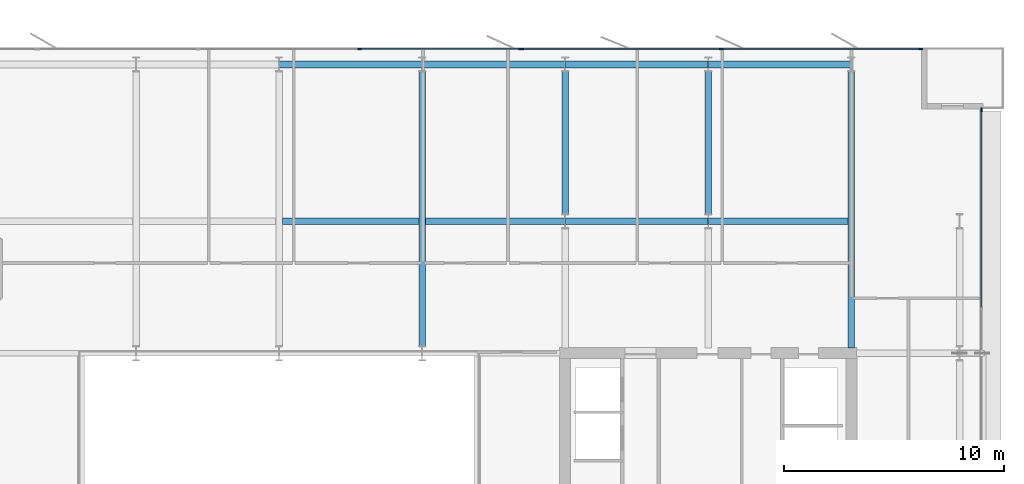
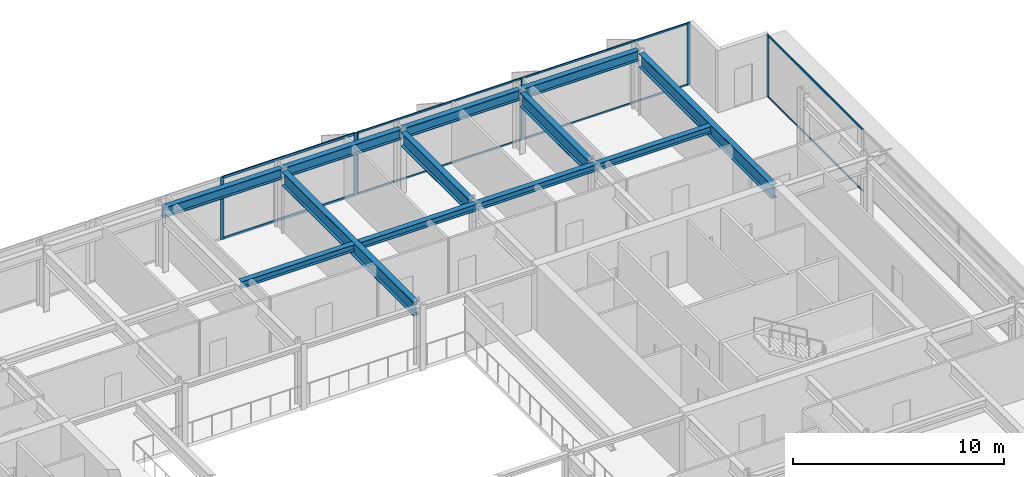
# One storey, part 9 of 19: 14 members, 12 beams, 3 elements without a shape of their own.
"""IFC4 building model written with IfcOpenShell, lengths in metres."""

import ifcopenshell
import ifcopenshell.guid

model = None  # the IFC model being written
_history = None  # IfcOwnerHistory: only IFC2X3 demands one
_inside = {}  # id of a spatial element -> (the spatial element, [elements in it])
_under = {}  # id of a project, library or spatial element -> (it, [spatial elements below it])
_declared = {}  # id of a project -> (the project, [libraries it declares])
_typed = {}  # id of a type object -> (the type object, [elements of that type])
_made_of = {}  # id of a material, layer set ... -> (it, [elements and type objects made of it])


def new_model(schema):
    """Start an empty IFC model of exactly this schema.

    Asked for "IFC4X3", IfcOpenShell would pick the latest addendum, in which some entities
    have other attributes; the version numbers below select the first issue.
    IFC2X3 requires an IfcOwnerHistory on every rooted entity: one is made here for all.
    """
    global model, _history
    if schema == "IFC4X3":
        model = ifcopenshell.file(schema_version=(4, 3, 0, 0))
    else:
        model = ifcopenshell.file(schema=schema)
    _inside.clear()
    _under.clear()
    _declared.clear()
    _typed.clear()
    _made_of.clear()
    _history = None
    if model.schema == "IFC2X3":
        org = make("IfcOrganization", Name="unknown")
        user = make(
            "IfcPersonAndOrganization",
            ThePerson=make("IfcPerson", FamilyName="unknown"),
            TheOrganization=org,
        )
        app = make(
            "IfcApplication",
            ApplicationDeveloper=org,
            Version="unknown",
            ApplicationFullName="unknown",
            ApplicationIdentifier="unknown",
        )
        _history = make(
            "IfcOwnerHistory",
            OwningUser=user,
            OwningApplication=app,
            ChangeAction="ADDED",
            CreationDate=0,
        )
    return model


def make(cls, **values):
    """One entity of the class cls with the attributes given. An attribute that is None is left unset."""
    return model.create_entity(
        cls, **{name: value for name, value in values.items() if value is not None}
    )


def rooted(cls, **values):
    """An entity with a GlobalId (a new one), such as an element, a storey or a relation."""
    return make(cls, GlobalId=ifcopenshell.guid.new(), OwnerHistory=_history, **values)


def si_unit(unit_type, name, prefix=None):
    """IfcSIUnit, for example si_unit("LENGTHUNIT", "METRE", prefix="MILLI")."""
    return make("IfcSIUnit", UnitType=unit_type, Prefix=prefix, Name=name)


def assignment(units):
    """IfcUnitAssignment: the units of a project."""
    return None if units is None else make("IfcUnitAssignment", Units=units)


def point(xyz):
    """IfcCartesianPoint."""
    return None if xyz is None else make("IfcCartesianPoint", Coordinates=xyz)


def direction(xyz):
    """IfcDirection."""
    return None if xyz is None else make("IfcDirection", DirectionRatios=xyz)


def frame(location, z_axis=None, x_axis=None):
    """IfcAxis2Placement3D, a coordinate frame: its origin and axes. An axis left out is left unset."""
    return make(
        "IfcAxis2Placement3D",
        Location=point(location),
        Axis=direction(z_axis),
        RefDirection=direction(x_axis),
    )


def frame_2d(location, x_axis=None):
    """IfcAxis2Placement2D, a coordinate frame in the plane: its origin and x axis."""
    return make(
        "IfcAxis2Placement2D", Location=point(location), RefDirection=direction(x_axis)
    )


def origin():
    """The frame at (0, 0, 0) with its axes left unset."""
    return frame((0.0, 0.0, 0.0))


def origin_2d():
    """The frame at (0, 0) in the plane with its x axis left unset."""
    return frame_2d((0.0, 0.0))


def place(relative_to, where):
    """IfcLocalPlacement: puts the frame where relative to a parent placement (None: the world)."""
    return make(
        "IfcLocalPlacement", PlacementRelTo=relative_to, RelativePlacement=where
    )


def context(
    kind, dimensions, precision=None, world=None, true_north=None, identifier=None
):
    """IfcGeometricRepresentationContext, for example the 3D "Model" context."""
    return make(
        "IfcGeometricRepresentationContext",
        ContextIdentifier=identifier,
        ContextType=kind,
        CoordinateSpaceDimension=dimensions,
        Precision=precision,
        WorldCoordinateSystem=world,
        TrueNorth=true_north,
    )


def subcontext(parent, identifier, kind, view, scale=None):
    """IfcGeometricRepresentationSubContext, for example "Body" below "Model"."""
    return make(
        "IfcGeometricRepresentationSubContext",
        ContextIdentifier=identifier,
        ContextType=kind,
        ParentContext=parent,
        TargetScale=scale,
        TargetView=view,
    )


def project(units=None, contexts=None):
    """IfcProject with its units and contexts."""
    return rooted(
        "IfcProject",
        Name="project",
        RepresentationContexts=contexts,
        UnitsInContext=assignment(units),
    )


def spatial(cls, under=None, at=None, **own):
    """A site, building, storey or space (cls), placed at a placement, below another one or the project."""
    s = rooted(cls, ObjectPlacement=at, **own)
    if under is not None:
        _under.setdefault(under.id(), (under, []))[1].append(s)
    return s


def profile(cls, at=None, kind="AREA", **sizes):
    """A parametric profile (cls). Its sizes go by their IFC names, for example OverallWidth=200.0."""
    return make(cls, ProfileType=kind, Position=at, **sizes)


def rectangle(**sizes):
    """IfcRectangleProfileDef."""
    return profile("IfcRectangleProfileDef", **sizes)


def i_section(**sizes):
    """IfcIShapeProfileDef."""
    return profile("IfcIShapeProfileDef", **sizes)


def extrude(swept, where, along, depth):
    """IfcExtrudedAreaSolid: the profile swept, set in the frame where, extruded along a direction by depth."""
    return make(
        "IfcExtrudedAreaSolid",
        SweptArea=swept,
        Position=where,
        ExtrudedDirection=direction(along),
        Depth=depth,
    )


def shape(context_of_items, identifier, shape_type, items):
    """IfcShapeRepresentation: the items that make up one representation, for example the "Body"."""
    return make(
        "IfcShapeRepresentation",
        ContextOfItems=context_of_items,
        RepresentationIdentifier=identifier,
        RepresentationType=shape_type,
        Items=items,
    )


def material(Name=None, Category=None):
    """IfcMaterial."""
    return make("IfcMaterial", Name=Name, Category=Category)


def layer(
    of_material, thickness, ventilated=None, Name=None, Category=None, Priority=None
):
    """IfcMaterialLayer: one layer of a wall or slab, of a material (None: an air gap)."""
    return make(
        "IfcMaterialLayer",
        Material=of_material,
        LayerThickness=thickness,
        IsVentilated=ventilated,
        Name=Name,
        Category=Category,
        Priority=Priority,
    )


def layer_set(layers, Name=None):
    """IfcMaterialLayerSet."""
    return make("IfcMaterialLayerSet", MaterialLayers=layers, LayerSetName=Name)


def material_profile(
    of_material, cross_section, Name=None, Category=None, Priority=None
):
    """IfcMaterialProfile: a cross section and its material."""
    return make(
        "IfcMaterialProfile",
        Name=Name,
        Material=of_material,
        Profile=cross_section,
        Priority=Priority,
        Category=Category,
    )


def profile_set(profiles, Name=None, composite=None):
    """IfcMaterialProfileSet."""
    return make(
        "IfcMaterialProfileSet",
        Name=Name,
        MaterialProfiles=profiles,
        CompositeProfile=composite,
    )


def made_of(thing, what):
    """Note that an element or type object is made of a material, layer set ...; save() writes the relation."""
    if what is not None:
        _made_of.setdefault(what.id(), (what, []))[1].append(thing)
    return thing


def type_object(cls, material=None, **own):
    """A type object (cls), such as IfcWallType, which elements share."""
    return made_of(rooted(cls, **own), material)


def element(
    cls,
    number,
    at=None,
    inside=None,
    cuts=None,
    type_object=None,
    material=None,
    context=None,
    identifier="Body",
    shape_type=None,
    held_by="IfcProductDefinitionShape",
    body=None,
    shapes=None,
    **own,
):
    """One element of the class cls, such as IfcWall. Its Tag is "e" and its number.

    at: its placement. inside: the storey or other place that contains it. cuts: it is an
    opening in that element (IfcRelVoidsElement). A single representation is given by context,
    identifier, shape_type and body (its items); several are given by shapes. held_by: the class
    of the entity that holds the representations. save() writes the other relations.
    """
    e = rooted(cls, Tag="e%d" % number, ObjectPlacement=at, **own)
    if body is not None:
        shapes = [shape(context, identifier, shape_type, body)]
    if shapes is not None:
        e.Representation = make(held_by, Representations=shapes)
    if inside is not None:
        _inside.setdefault(inside.id(), (inside, []))[1].append(e)
    if cuts is not None:
        rooted(
            "IfcRelVoidsElement", RelatingBuildingElement=cuts, RelatedOpeningElement=e
        )
    if type_object is not None:
        _typed.setdefault(type_object.id(), (type_object, []))[1].append(e)
    return made_of(e, material)


def aggregate(whole, parts):
    """IfcRelAggregates: a whole, such as a stair, and the parts it consists of."""
    return rooted("IfcRelAggregates", RelatingObject=whole, RelatedObjects=parts)


def save(model, path):
    """Write the relations noted so far, then the file.

    IfcRelAggregates (storeys below a building ...), IfcRelContainedInSpatialStructure (elements
    in a storey), IfcRelDefinesByType, IfcRelAssociatesMaterial and IfcRelDeclares: one each for
    every whole, place, type object, material and project.
    """
    for whole, parts in _under.values():
        aggregate(whole, parts)
    for where, things in _inside.values():
        rooted(
            "IfcRelContainedInSpatialStructure",
            RelatedElements=things,
            RelatingStructure=where,
        )
    for kind, things in _typed.values():
        rooted("IfcRelDefinesByType", RelatedObjects=things, RelatingType=kind)
    for what, things in _made_of.values():
        rooted("IfcRelAssociatesMaterial", RelatedObjects=things, RelatingMaterial=what)
    for by, libraries in _declared.values():
        rooted("IfcRelDeclares", RelatingContext=by, RelatedDefinitions=libraries)
    model.write(path)


model = new_model("IFC4")

# Units and contexts
model_context = context("Model", 3, precision=1e-05, world=origin(), true_north=direction((0.0, 1.0)))
body_context = subcontext(model_context, "Body", "Model", "MODEL_VIEW")
ifc_project = project(units=[si_unit("LENGTHUNIT", "METRE"), si_unit("AREAUNIT", "SQUARE_METRE"), si_unit("VOLUMEUNIT", "CUBIC_METRE"), si_unit("PLANEANGLEUNIT", "RADIAN"), si_unit("MASSUNIT", "GRAM", prefix="KILO")], contexts=[model_context])

# Site, building, storey
site_placement = place(None, origin())
site = spatial("IfcSite", under=ifc_project, at=site_placement, CompositionType="ELEMENT")
building_placement = place(site_placement, origin())
building = spatial("IfcBuilding", under=site, at=building_placement, Name="Putna Gate Headquarters", CompositionType="ELEMENT")
storey_placement = place(building_placement, frame((0.0, 0.0, 263.199951171875)))
storey = spatial("IfcBuildingStorey", under=building, at=storey_placement, Name="L66", CompositionType="ELEMENT", Elevation=263.199951171875)

# Beams
ifc_material_1 = material(Name="Steel S355J2", Category="steel")
ifc_material_profile_1 = material_profile(ifc_material_1, i_section(OverallWidth=0.300048828125, OverallDepth=0.800048828125, WebThickness=0.017578125, FlangeThickness=0.032958984375, at=origin_2d()), Name="Steel S355J2")
ifc_profile_set_1 = profile_set([ifc_material_profile_1], Name="Steel S355J2")
beam_type_1 = type_object("IfcBeamType", Name="BM-GIRD-P-HEB800", PredefinedType="USERDEFINED", material=ifc_profile_set_1)
beam_1_placement = place(storey_placement, frame((45.5, 33.322021484375, 3.18798828125), z_axis=(0.0, 1.0, 0.0), x_axis=(-1.0, 0.0, 0.0)))
element("IfcBeam", 1, at=beam_1_placement, inside=storey, type_object=beam_type_1, Name="L66 North Primary Girder X45", ObjectType="GIRDER", PredefinedType="USERDEFINED", context=body_context, shape_type="SweptSolid", body=[
    extrude(i_section(OverallWidth=0.300048828125, OverallDepth=0.800048828125, WebThickness=0.017578125, FlangeThickness=0.032958984375, at=origin_2d()), origin(), (0.0, 0.0, 1.0), 12.47607421875),
])
for number, where, z_axis, x_axis, name in (
    (2, (52.0, 39.322021484375, 3.18798828125), (0.0, 1.0, 0.0), (-1.0, 0.0, 0.0), "L66 North Primary Girder X52-2"),
    (3, (58.5, 39.322021484375, 3.18798828125), (0.0, 1.0, 0.0), (-1.0, 0.0, 0.0), "L66 North Primary Girder X58-2"),
):
    element("IfcBeam", number, at=place(storey_placement, frame(where, z_axis=z_axis, x_axis=x_axis)), inside=storey, type_object=beam_type_1, Name=name, ObjectType="GIRDER", PredefinedType="USERDEFINED", context=body_context, shape_type="SweptSolid", body=[
        extrude(i_section(OverallWidth=0.300048828125, OverallDepth=0.800048828125, WebThickness=0.017578125, FlangeThickness=0.032958984375, at=origin_2d()), origin(), (0.0, 0.0, 1.0), 6.47607421875),
    ])
beam_2_placement = place(storey_placement, frame((65.0, 33.235107421875, 3.18798828125), z_axis=(0.0, 1.0, 0.0), x_axis=(-1.0, 0.0, 0.0)))
element("IfcBeam", 4, at=beam_2_placement, inside=storey, type_object=beam_type_1, Name="L66 North Primary Girder X65", ObjectType="GIRDER", PredefinedType="USERDEFINED", context=body_context, shape_type="SweptSolid", body=[
    extrude(i_section(OverallWidth=0.300048828125, OverallDepth=0.800048828125, WebThickness=0.017578125, FlangeThickness=0.032958984375, at=origin_2d()), origin(), (0.0, 0.0, 1.0), 12.56298828125),
])
ifc_material_profile_2 = material_profile(ifc_material_1, i_section(OverallWidth=0.300048828125, OverallDepth=0.389892578125, WebThickness=0.010986328125, FlangeThickness=0.01904296875, at=origin_2d()), Name="Steel S355J2")
ifc_profile_set_2 = profile_set([ifc_material_profile_2], Name="Steel S355J2")
beam_type_2 = type_object("IfcBeamType", Name="BM-SEC-Z5-HEA400", PredefinedType="BEAM", material=ifc_profile_set_2)
beam_3_placement = place(storey_placement, frame((39.154052734375, 39.0, 3.39306640625), z_axis=(1.0, 0.0, 0.0), x_axis=(0.0, 1.0, 0.0)))
element("IfcBeam", 5, at=beam_3_placement, inside=storey, type_object=beam_type_2, Name="L66 North Secondary Beam 5", PredefinedType="BEAM", context=body_context, shape_type="SweptSolid", body=[
    extrude(i_section(OverallWidth=0.300048828125, OverallDepth=0.389892578125, WebThickness=0.010986328125, FlangeThickness=0.01904296875, at=origin_2d()), origin(), (0.0, 0.0, 1.0), 6.19189453125),
])
beam_4_placement = place(storey_placement, frame((45.654052734375, 39.0, 3.39306640625), z_axis=(1.0, 0.0, 0.0), x_axis=(0.0, 1.0, 0.0)))
element("IfcBeam", 6, at=beam_4_placement, inside=storey, type_object=beam_type_2, Name="L66 North Secondary Beam 6", PredefinedType="BEAM", context=body_context, shape_type="SweptSolid", body=[
    extrude(i_section(OverallWidth=0.300048828125, OverallDepth=0.389892578125, WebThickness=0.010986328125, FlangeThickness=0.01904296875, at=origin_2d()), origin(), (0.0, 0.0, 1.0), 6.33984375),
])
beam_5_placement = place(storey_placement, frame((52.006103515625, 39.0, 3.39306640625), z_axis=(1.0, 0.0, 0.0), x_axis=(0.0, 1.0, 0.0)))
element("IfcBeam", 7, at=beam_5_placement, inside=storey, type_object=beam_type_2, Name="L66 North Secondary Beam 7", PredefinedType="BEAM", context=body_context, shape_type="SweptSolid", body=[
    extrude(i_section(OverallWidth=0.300048828125, OverallDepth=0.389892578125, WebThickness=0.010986328125, FlangeThickness=0.01904296875, at=origin_2d()), origin(), (0.0, 0.0, 1.0), 6.48779296875),
])
beam_6_placement = place(storey_placement, frame((58.506103515625, 39.0, 3.39306640625), z_axis=(1.0, 0.0, 0.0), x_axis=(0.0, 1.0, 0.0)))
element("IfcBeam", 8, at=beam_6_placement, inside=storey, type_object=beam_type_2, Name="L66 North Secondary Beam 8", PredefinedType="BEAM", context=body_context, shape_type="SweptSolid", body=[
    extrude(i_section(OverallWidth=0.300048828125, OverallDepth=0.389892578125, WebThickness=0.010986328125, FlangeThickness=0.01904296875, at=origin_2d()), origin(), (0.0, 0.0, 1.0), 6.33984375),
])
ifc_material_profile_3 = material_profile(ifc_material_1, i_section(OverallWidth=0.300048828125, OverallDepth=0.590087890625, WebThickness=0.012939453125, FlangeThickness=0.02490234375, at=origin_2d()), Name="Steel S355J2")
ifc_profile_set_3 = profile_set([ifc_material_profile_3], Name="Steel S355J2")
beam_type_3 = type_object("IfcBeamType", Name="BM-SPAN-Z4-HEA600", PredefinedType="SPANDREL", material=ifc_profile_set_3)
for number, where, z_axis, x_axis, name in (
    (9, (39.006103515625, 46.1201171875, 3.29296875), (1.0, 0.0, 0.0), (0.0, 1.0, 0.0), "L66 N Perimeter Spandrel 5"),
    (10, (45.506103515625, 46.1201171875, 3.29296875), (1.0, 0.0, 0.0), (0.0, 1.0, 0.0), "L66 N Perimeter Spandrel 6"),
    (11, (52.006103515625, 46.1201171875, 3.29296875), (1.0, 0.0, 0.0), (0.0, 1.0, 0.0), "L66 N Perimeter Spandrel 7"),
    (12, (58.506103515625, 46.1201171875, 3.29296875), (1.0, 0.0, 0.0), (0.0, 1.0, 0.0), "L66 N Perimeter Spandrel 8"),
):
    element("IfcBeam", number, at=place(storey_placement, frame(where, z_axis=z_axis, x_axis=x_axis)), inside=storey, type_object=beam_type_3, Name=name, PredefinedType="SPANDREL", context=body_context, shape_type="SweptSolid", body=[
        extrude(i_section(OverallWidth=0.300048828125, OverallDepth=0.590087890625, WebThickness=0.012939453125, FlangeThickness=0.02490234375, at=origin_2d()), origin(), (0.0, 0.0, 1.0), 6.48779296875),
    ])

# Curtain wall, members
ifc_material_2 = material(Name="Anodised bronze aluminium curtain wall", Category="aluminium")
ifc_layer_1 = layer(ifc_material_2, 0.179931640625)
ifc_layer_set_1 = layer_set([ifc_layer_1], Name="Anodised bronze aluminium curtain wall")
curtain_wall_type_1 = type_object("IfcCurtainWallType", Name="CW-SYS-Z5", PredefinedType="USERDEFINED", material=ifc_layer_set_1)
curtain_wall_1_placement = place(storey_placement, origin())
curtain_wall_1 = element("IfcCurtainWall", 13, at=curtain_wall_1_placement, inside=storey, type_object=curtain_wall_type_1, Name="L66 North East Curtain Wall", ObjectType="STICK CURTAIN WALL", PredefinedType="USERDEFINED")
ifc_material_3 = material(Name="Anodised bronze aluminium EN AW-6060", Category="aluminium")
ifc_material_profile_4 = material_profile(ifc_material_3, rectangle(XDim=0.070068359375, YDim=0.179931640625, at=origin_2d()), Name="Anodised bronze aluminium EN AW-6060")
ifc_profile_set_4 = profile_set([ifc_material_profile_4], Name="Anodised bronze aluminium EN AW-6060")
member_type_1 = type_object("IfcMemberType", Name="MULL-CWM-5", PredefinedType="MULLION", material=ifc_profile_set_4)
member_1_placement = place(storey_placement, frame((50.034912109375, 46.820068359375, 0.0), z_axis=(0.0, 0.0, 1.0), x_axis=(0.0, 1.0, 0.0)))
member_1 = element("IfcMember", 14, at=member_1_placement, type_object=member_type_1, Name="CWS-5 mullion 1", PredefinedType="MULLION", context=body_context, shape_type="SweptSolid", body=[
    extrude(rectangle(XDim=0.070068359375, YDim=0.179931640625, at=origin_2d()), origin(), (0.0, 0.0, 1.0), 3.588134765625),
])
member_2_placement = place(storey_placement, frame((59.094482421875, 46.820068359375, 0.0), z_axis=(0.0, 0.0, 1.0), x_axis=(0.0, 1.0, 0.0)))
member_2 = element("IfcMember", 15, at=member_2_placement, type_object=member_type_1, Name="CWS-5 mullion 2", PredefinedType="MULLION", context=body_context, shape_type="SweptSolid", body=[
    extrude(rectangle(XDim=0.070068359375, YDim=0.179931640625, at=origin_2d()), origin(), (0.0, 0.0, 1.0), 3.588134765625),
])
member_3_placement = place(storey_placement, frame((68.154052734375, 46.820068359375, 0.0), z_axis=(0.0, 0.0, 1.0), x_axis=(0.0, 1.0, 0.0)))
member_3 = element("IfcMember", 16, at=member_3_placement, type_object=member_type_1, Name="CWS-5 mullion 3", PredefinedType="MULLION", context=body_context, shape_type="SweptSolid", body=[
    extrude(rectangle(XDim=0.070068359375, YDim=0.179931640625, at=origin_2d()), origin(), (0.0, 0.0, 1.0), 3.588134765625),
])

# Curtain wall, member
curtain_wall_2_placement = place(storey_placement, origin())
curtain_wall_2 = element("IfcCurtainWall", 17, at=curtain_wall_2_placement, inside=storey, type_object=curtain_wall_type_1, Name="L66 East Curtain Wall", ObjectType="STICK CURTAIN WALL", PredefinedType="USERDEFINED")
member_4_placement = place(storey_placement, frame((70.908935546875, 44.06494140625, 0.0), z_axis=(0.0, 0.0, 1.0), x_axis=(-1.0, 0.0, 0.0)))
member_4 = element("IfcMember", 18, at=member_4_placement, type_object=member_type_1, Name="CWS-5 mullion 5", PredefinedType="MULLION", context=body_context, shape_type="SweptSolid", body=[
    extrude(rectangle(XDim=0.070068359375, YDim=0.179931640625, at=origin_2d()), origin(), (0.0, 0.0, 1.0), 3.588134765625),
])

# Curtain wall, members
ifc_layer_2 = layer(ifc_material_2, 0.179931640625)
ifc_layer_set_2 = layer_set([ifc_layer_2], Name="Anodised bronze aluminium curtain wall")
curtain_wall_type_2 = type_object("IfcCurtainWallType", Name="CW-SYS-ATR", PredefinedType="USERDEFINED", material=ifc_layer_set_2)
curtain_wall_3_placement = place(storey_placement, origin())
curtain_wall_3 = element("IfcCurtainWall", 19, at=curtain_wall_3_placement, inside=storey, type_object=curtain_wall_type_2, Name="L66 North Atrium Clear Glazing", ObjectType="ATRIUM GLAZING", PredefinedType="USERDEFINED")
ifc_material_profile_5 = material_profile(ifc_material_3, rectangle(XDim=0.070068359375, YDim=0.179931640625, at=origin_2d()), Name="Anodised bronze aluminium EN AW-6060")
ifc_profile_set_5 = profile_set([ifc_material_profile_5], Name="Anodised bronze aluminium EN AW-6060")
member_type_2 = type_object("IfcMemberType", Name="MULL-CWM-AT", PredefinedType="MULLION", material=ifc_profile_set_5)
member_5_placement = place(storey_placement, frame((42.666748046875, 46.820068359375, 0.0), z_axis=(0.0, 0.0, 1.0), x_axis=(0.0, 1.0, 0.0)))
member_5 = element("IfcMember", 20, at=member_5_placement, type_object=member_type_2, Name="CWS-AT mullion 3", PredefinedType="MULLION", context=body_context, shape_type="SweptSolid", body=[
    extrude(rectangle(XDim=0.070068359375, YDim=0.179931640625, at=origin_2d()), origin(), (0.0, 0.0, 1.0), 3.588134765625),
])
member_6_placement = place(storey_placement, frame((49.965087890625, 46.820068359375, 0.0), z_axis=(0.0, 0.0, 1.0), x_axis=(0.0, 1.0, 0.0)))
member_6 = element("IfcMember", 21, at=member_6_placement, type_object=member_type_2, Name="CWS-AT mullion 4", PredefinedType="MULLION", context=body_context, shape_type="SweptSolid", body=[
    extrude(rectangle(XDim=0.070068359375, YDim=0.179931640625, at=origin_2d()), origin(), (0.0, 0.0, 1.0), 3.588134765625),
])

# Member
ifc_material_profile_6 = material_profile(ifc_material_3, rectangle(XDim=0.06005859375, YDim=0.10009765625, at=origin_2d()), Name="Anodised bronze aluminium EN AW-6060")
ifc_profile_set_6 = profile_set([ifc_material_profile_6], Name="Anodised bronze aluminium EN AW-6060")
member_type_3 = type_object("IfcMemberType", Name="TRAN-CWT-5", PredefinedType="USERDEFINED", material=ifc_profile_set_6)
member_7_placement = place(storey_placement, frame((50.070068359375, 46.820068359375, 0.030029296875), z_axis=(1.0, 0.0, 0.0), x_axis=(0.0, 1.0, 0.0)))
member_7 = element("IfcMember", 22, at=member_7_placement, type_object=member_type_3, Name="CWS-5 transom 1.1", ObjectType="TRANSOM", PredefinedType="USERDEFINED", context=body_context, shape_type="SweptSolid", body=[
    extrude(rectangle(XDim=0.06005859375, YDim=0.10009765625, at=origin_2d()), origin(), (0.0, 0.0, 1.0), 8.989501953125),
])

member_8_placement = place(storey_placement, frame((50.070068359375, 46.820068359375, 3.55810546875), z_axis=(1.0, 0.0, 0.0), x_axis=(0.0, 1.0, 0.0)))
member_8 = element("IfcMember", 23, at=member_8_placement, type_object=member_type_3, Name="CWS-5 transom 1.2", ObjectType="TRANSOM", PredefinedType="USERDEFINED", context=body_context, shape_type="SweptSolid", body=[
    extrude(rectangle(XDim=0.06005859375, YDim=0.10009765625, at=origin_2d()), origin(), (0.0, 0.0, 1.0), 8.989501953125),
])

member_9_placement = place(storey_placement, frame((59.12939453125, 46.820068359375, 0.030029296875), z_axis=(1.0, 0.0, 0.0), x_axis=(0.0, 1.0, 0.0)))
member_9 = element("IfcMember", 24, at=member_9_placement, type_object=member_type_3, Name="CWS-5 transom 2.1", ObjectType="TRANSOM", PredefinedType="USERDEFINED", context=body_context, shape_type="SweptSolid", body=[
    extrude(rectangle(XDim=0.06005859375, YDim=0.10009765625, at=origin_2d()), origin(), (0.0, 0.0, 1.0), 8.989501953125),
])

member_10_placement = place(storey_placement, frame((59.12939453125, 46.820068359375, 3.55810546875), z_axis=(1.0, 0.0, 0.0), x_axis=(0.0, 1.0, 0.0)))
member_10 = element("IfcMember", 25, at=member_10_placement, type_object=member_type_3, Name="CWS-5 transom 2.2", ObjectType="TRANSOM", PredefinedType="USERDEFINED", context=body_context, shape_type="SweptSolid", body=[
    extrude(rectangle(XDim=0.06005859375, YDim=0.10009765625, at=origin_2d()), origin(), (0.0, 0.0, 1.0), 8.989501953125),
])

aggregate(curtain_wall_1, [member_1, member_2, member_3, member_7, member_8, member_9, member_10])

member_11_placement = place(storey_placement, frame((70.908935546875, 35.0849609375, 0.030029296875), z_axis=(0.0, 1.0, 0.0), x_axis=(-1.0, 0.0, 0.0)))
member_11 = element("IfcMember", 26, at=member_11_placement, type_object=member_type_3, Name="CWS-5 transom 4.1", ObjectType="TRANSOM", PredefinedType="USERDEFINED", context=body_context, shape_type="SweptSolid", body=[
    extrude(rectangle(XDim=0.06005859375, YDim=0.10009765625, at=origin_2d()), origin(), (0.0, 0.0, 1.0), 8.945068359375),
])

member_12_placement = place(storey_placement, frame((70.908935546875, 35.0849609375, 3.55810546875), z_axis=(0.0, 1.0, 0.0), x_axis=(-1.0, 0.0, 0.0)))
member_12 = element("IfcMember", 27, at=member_12_placement, type_object=member_type_3, Name="CWS-5 transom 4.2", ObjectType="TRANSOM", PredefinedType="USERDEFINED", context=body_context, shape_type="SweptSolid", body=[
    extrude(rectangle(XDim=0.06005859375, YDim=0.10009765625, at=origin_2d()), origin(), (0.0, 0.0, 1.0), 8.945068359375),
])

aggregate(curtain_wall_2, [member_4, member_11, member_12])

ifc_material_profile_7 = material_profile(ifc_material_3, rectangle(XDim=0.070068359375, YDim=0.139892578125, at=origin_2d()), Name="Anodised bronze aluminium EN AW-6060")
ifc_profile_set_7 = profile_set([ifc_material_profile_7], Name="Anodised bronze aluminium EN AW-6060")
member_type_4 = type_object("IfcMemberType", Name="TRAN-CWT-AT", PredefinedType="USERDEFINED", material=ifc_profile_set_7)
member_13_placement = place(storey_placement, frame((42.70166015625, 46.820068359375, 0.03515625), z_axis=(1.0, 0.0, 0.0), x_axis=(0.0, 1.0, 0.0)))
member_13 = element("IfcMember", 28, at=member_13_placement, type_object=member_type_4, Name="CWS-AT transom 3.1", ObjectType="TRANSOM", PredefinedType="USERDEFINED", context=body_context, shape_type="SweptSolid", body=[
    extrude(rectangle(XDim=0.070068359375, YDim=0.139892578125, at=origin_2d()), origin(), (0.0, 0.0, 1.0), 7.228271484375),
])

member_14_placement = place(storey_placement, frame((42.70166015625, 46.820068359375, 3.552978515625), z_axis=(1.0, 0.0, 0.0), x_axis=(0.0, 1.0, 0.0)))
member_14 = element("IfcMember", 29, at=member_14_placement, type_object=member_type_4, Name="CWS-AT transom 3.2", ObjectType="TRANSOM", PredefinedType="USERDEFINED", context=body_context, shape_type="SweptSolid", body=[
    extrude(rectangle(XDim=0.070068359375, YDim=0.139892578125, at=origin_2d()), origin(), (0.0, 0.0, 1.0), 7.228271484375),
])

aggregate(curtain_wall_3, [member_5, member_6, member_13, member_14])

save(model, "model.ifc")
